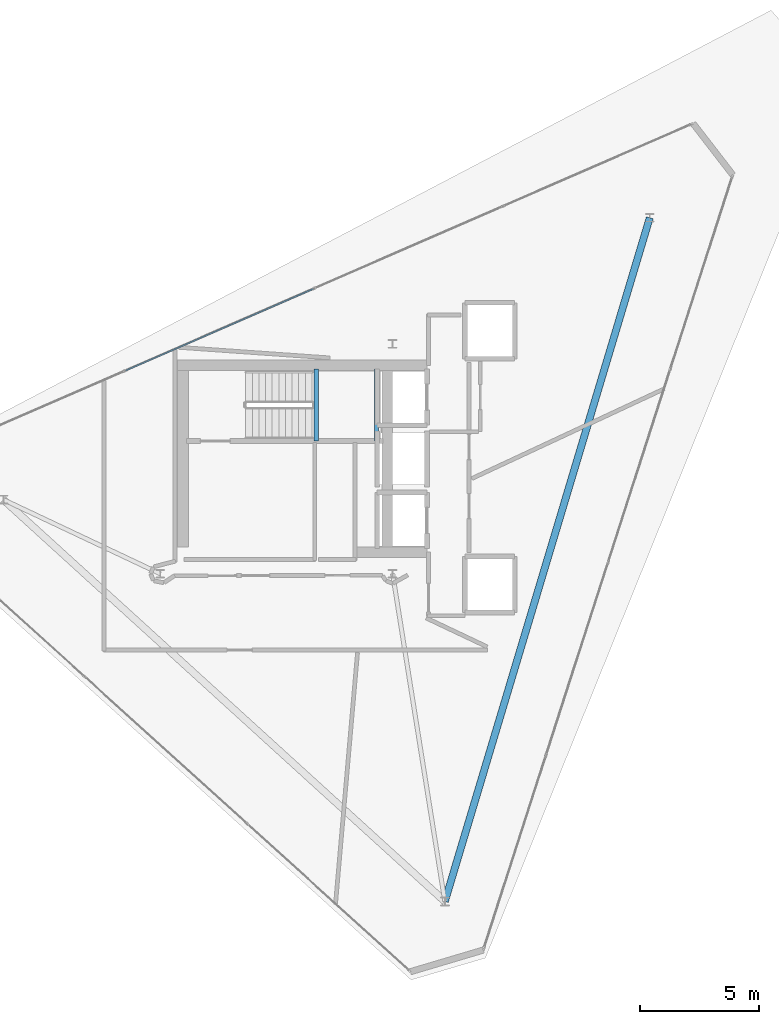
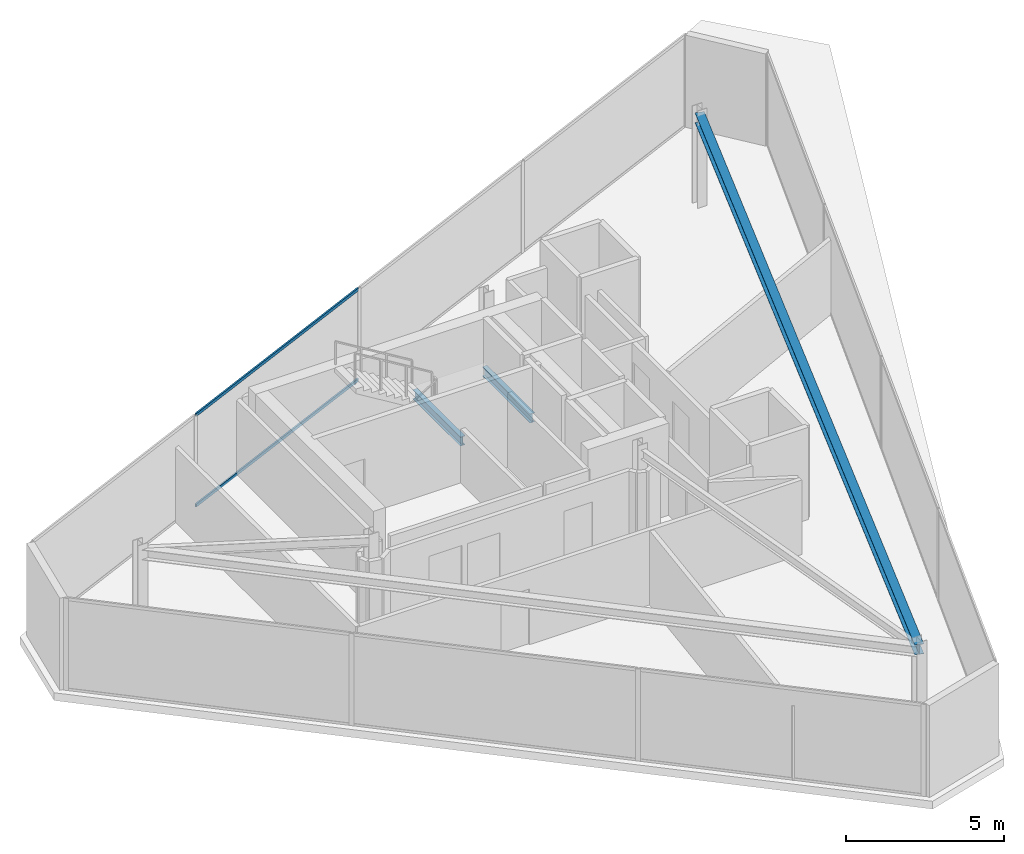
# One storey, part 8 of 14: 3 beams, 2 members, 1 element without a shape of its own.
"""IFC4 building model written with IfcOpenShell, lengths in metres."""

from ifc_helpers import new_model, si_unit, direction, frame, origin, origin_2d, place, context, subcontext, project, spatial, hollow_rectangle, i_section, extrude, material, layer, layer_set, material_profile, profile_set, type_object, element, aggregate, save


model = new_model("IFC4")

# Units and contexts
model_context = context("Model", 3, precision=1e-05, world=origin(), true_north=direction((0.0, 1.0)))
body_context = subcontext(model_context, "Body", "Model", "MODEL_VIEW")
ifc_project = project(units=[si_unit("LENGTHUNIT", "METRE"), si_unit("AREAUNIT", "SQUARE_METRE"), si_unit("VOLUMEUNIT", "CUBIC_METRE"), si_unit("PLANEANGLEUNIT", "RADIAN"), si_unit("MASSUNIT", "GRAM", prefix="KILO")], contexts=[model_context])

# Site, building, storey
site_placement = place(None, origin())
site = spatial("IfcSite", under=ifc_project, at=site_placement, CompositionType="ELEMENT")
building_placement = place(site_placement, origin())
building = spatial("IfcBuilding", under=site, at=building_placement, Name="Qianvela Tower", CompositionType="ELEMENT")
storey_placement = place(building_placement, frame((0.0, 0.0, 356.300048828125)))
storey = spatial("IfcBuildingStorey", under=building, at=storey_placement, Name="L92", CompositionType="ELEMENT", Elevation=356.300048828125)

# Beams
ifc_material_1 = material(Name="Steel Q355B", Category="steel")
ifc_material_profile_1 = material_profile(ifc_material_1, i_section(OverallWidth=0.300048828125, OverallDepth=0.389892578125, WebThickness=0.010009765625, FlangeThickness=0.01611328125, at=origin_2d()), Name="HM390x300x10x16")
ifc_profile_set_1 = profile_set([ifc_material_profile_1], Name="Steel Q355B")
beam_type_1 = type_object("IfcBeamType", Name="BM-HM390-COLL", PredefinedType="BEAM", material=ifc_profile_set_1)
beam_placement = place(storey_placement, frame((49.248046875, 38.866943359375, 3.35302734375), z_axis=(-0.287106838651, -0.957898566237, 0.0), x_axis=(0.957898566237, -0.287106838651, 0.0)))
element("IfcBeam", 1, at=beam_placement, inside=storey, type_object=beam_type_1, Name="L92 Crown Perimeter Frame Girder 1", PredefinedType="BEAM", context=body_context, shape_type="SweptSolid", body=[
    extrude(i_section(OverallWidth=0.300048828125, OverallDepth=0.389892578125, WebThickness=0.010009765625, FlangeThickness=0.01611328125, at=origin_2d()), origin(), (0.0, 0.0, 1.0), 30.107421875),
])
ifc_material_2 = material(Name="Steel Q355B", Category="steel")
ifc_material_profile_2 = material_profile(ifc_material_2, i_section(OverallWidth=0.175048828125, OverallDepth=0.35009765625, WebThickness=0.007080078125, FlangeThickness=0.010986328125, at=origin_2d()), Name="HN350x175x7x11")
ifc_profile_set_2 = profile_set([ifc_material_profile_2], Name="Steel Q355B")
beam_type_2 = type_object("IfcBeamType", Name="BM-HN350-JOIST", PredefinedType="JOIST", material=ifc_profile_set_2)
for number, where, z_axis, x_axis, name in (
    (2, (35.179931640625, 29.4599609375, 1.5), (0.0, 1.0, 0.0), (-1.0, 0.0, 0.0), "L92 Stair ST-1 Landing Support Beam 1.1"),
    (3, (37.719970703125, 29.4599609375, 1.5), (0.0, 1.0, 0.0), (-1.0, 0.0, 0.0), "L92 Stair ST-1 Landing Support Beam 1.2"),
):
    element("IfcBeam", number, at=place(storey_placement, frame(where, z_axis=z_axis, x_axis=x_axis)), inside=storey, type_object=beam_type_2, Name=name, PredefinedType="JOIST", context=body_context, shape_type="SweptSolid", body=[
        extrude(i_section(OverallWidth=0.175048828125, OverallDepth=0.35009765625, WebThickness=0.007080078125, FlangeThickness=0.010986328125, at=origin_2d()), origin(), (0.0, 0.0, 1.0), 3.02001953125),
    ])

# Curtain wall, members
ifc_material_3 = material(Name="Anodised Architectural Aluminium and Low-E Glass", Category="aluminium")
ifc_layer = layer(ifc_material_3, 0.159912109375)
ifc_layer_set = layer_set([ifc_layer], Name="Anodised Architectural Aluminium and Low-E Glass")
curtain_wall_type = type_object("IfcCurtainWallType", Name="CW-CROWN", PredefinedType="USERDEFINED", material=ifc_layer_set)
curtain_wall_placement = place(storey_placement, origin())
curtain_wall = element("IfcCurtainWall", 4, at=curtain_wall_placement, inside=storey, type_object=curtain_wall_type, Name="L92 CW-CROWN Curtain Wall 02", ObjectType="CURTAIN_WALL_SYSTEM", PredefinedType="USERDEFINED")
ifc_material_4 = material(Name="Anodised Architectural Aluminium 6063-T6", Category="aluminium")
ifc_material_profile_3 = material_profile(ifc_material_4, hollow_rectangle(XDim=0.06005859375, YDim=0.114990234375, WallThickness=0.00390625, at=origin_2d()), Name="ALU-TRAN-60x115")
ifc_profile_set_3 = profile_set([ifc_material_profile_3], Name="Anodised Architectural Aluminium 6063-T6")
member_type = type_object("IfcMemberType", Name="CW-CROWN-TRAN", PredefinedType="USERDEFINED", material=ifc_profile_set_3)
member_1_placement = place(storey_placement, frame((35.0576171875, 35.869873046875, 0.030029296875), z_axis=(-0.916857180423, -0.399215368827, 0.0), x_axis=(0.399215368827, -0.916857180423, 0.0)))
member_1 = element("IfcMember", 5, at=member_1_placement, type_object=member_type, Name="CW-8 transom 3.1", ObjectType="TRANSOM", PredefinedType="USERDEFINED", context=body_context, shape_type="SweptSolid", body=[
    extrude(hollow_rectangle(XDim=0.06005859375, YDim=0.114990234375, WallThickness=0.00390625, at=origin_2d()), origin(), (0.0, 0.0, 1.0), 8.629638671875),
])
member_2_placement = place(storey_placement, frame((35.0576171875, 35.869873046875, 3.52001953125), z_axis=(-0.916857180423, -0.399215368827, 0.0), x_axis=(0.399215368827, -0.916857180423, 0.0)))
member_2 = element("IfcMember", 6, at=member_2_placement, type_object=member_type, Name="CW-8 transom 3.2", ObjectType="TRANSOM", PredefinedType="USERDEFINED", context=body_context, shape_type="SweptSolid", body=[
    extrude(hollow_rectangle(XDim=0.06005859375, YDim=0.114990234375, WallThickness=0.00390625, at=origin_2d()), origin(), (0.0, 0.0, 1.0), 8.629638671875),
])
aggregate(curtain_wall, [member_1, member_2])

save(model, "model.ifc")
